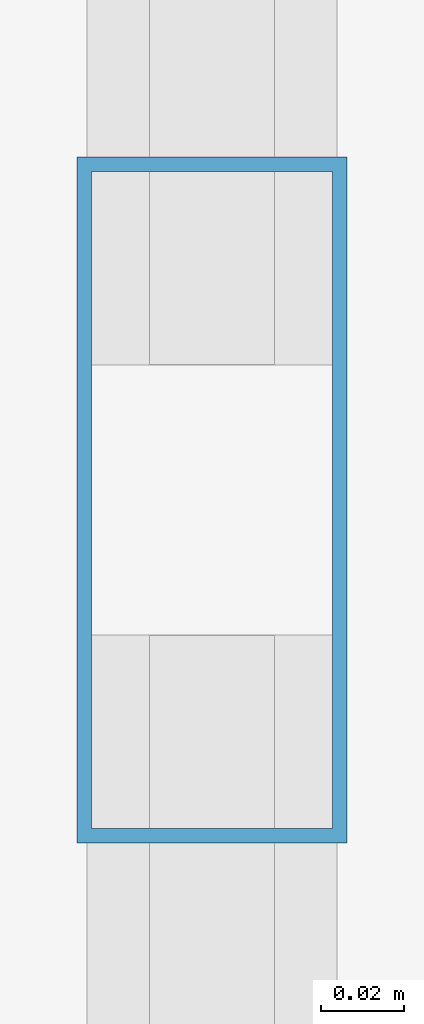
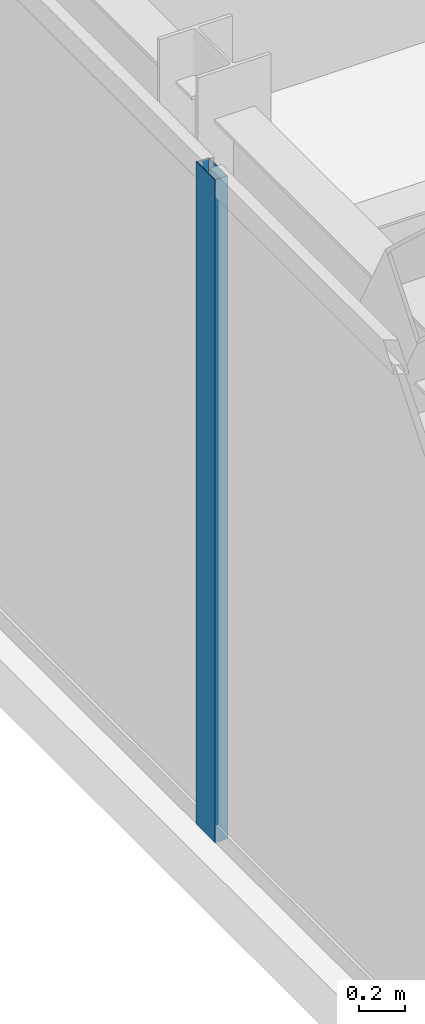
# One storey, part 12 of 33: 1 member, 1 element without a shape of its own.
"""IFC4 building model written with IfcOpenShell, lengths in metres."""

from ifc_helpers import new_model, si_unit, direction, frame, origin, origin_2d, place, context, subcontext, project, spatial, hollow_rectangle, extrude, source, transform, mapped, material, layer, layer_set, material_profile, profile_set, type_object, type_shapes, element, aggregate, save


model = new_model("IFC4")

# Units and contexts
model_context = context("Model", 3, precision=1e-05, world=origin(), true_north=direction((0.0, 1.0)))
body_context = subcontext(model_context, "Body", "Model", "MODEL_VIEW")
ifc_project = project(units=[si_unit("LENGTHUNIT", "METRE"), si_unit("AREAUNIT", "SQUARE_METRE"), si_unit("VOLUMEUNIT", "CUBIC_METRE"), si_unit("PLANEANGLEUNIT", "RADIAN"), si_unit("MASSUNIT", "GRAM", prefix="KILO")], contexts=[model_context])

# Site, building, storey
site_placement = place(None, origin())
site = spatial("IfcSite", under=ifc_project, at=site_placement, CompositionType="ELEMENT")
building_placement = place(site_placement, origin())
building = spatial("IfcBuilding", under=site, at=building_placement, Name="Varnel Quay Broadcast Tower", CompositionType="ELEMENT")
storey_placement = place(building_placement, frame((0.0, 0.0, 199.800048828125)))
storey = spatial("IfcBuildingStorey", under=building, at=storey_placement, Name="L49", CompositionType="ELEMENT", Elevation=199.800048828125)

# Curtain wall, member
ifc_material = material(Name="Anodised Bronze Aluminium 6063-T6", Category="aluminium")
ifc_layer = layer(ifc_material, 0.18994140625, Name="Anodised Bronze Aluminium 6063-T6")
ifc_layer_set = layer_set([ifc_layer], Name="Anodised Bronze Aluminium 6063-T6")
curtain_wall_type = type_object("IfcCurtainWallType", Name="CW_UpperTower", PredefinedType="NOTDEFINED", material=ifc_layer_set)
curtain_wall_placement = place(storey_placement, origin())
curtain_wall = element("IfcCurtainWall", 1, at=curtain_wall_placement, inside=storey, type_object=curtain_wall_type, Name="L49 West Unitised Curtain Wall", PredefinedType="NOTDEFINED")
ifc_material_profile = material_profile(ifc_material, hollow_rectangle(XDim=0.06494140625, YDim=0.1650390625, WallThickness=0.00341796875, at=origin_2d()), Name="ALU65X165X3.5")
ifc_profile_set = profile_set([ifc_material_profile], Name="Anodised Bronze Aluminium 6063-T6")
member_type = type_object("IfcMemberType", Name="Mull_CWS-03", PredefinedType="MULLION", material=ifc_profile_set)
shared_shape = source(origin(), body_context, "Body", "SweptSolid", [
    extrude(hollow_rectangle(XDim=0.06494140625, YDim=0.1650390625, WallThickness=0.00341796875, at=origin_2d()), origin(), (0.0, 0.0, 1.0), 3.550048828125),
])
type_shapes(member_type, [shared_shape])
member_placement = place(storey_placement, frame((9.64990234375, 28.5, 0.0), z_axis=(0.0, 0.0, 1.0), x_axis=(-1.0, 0.0, 0.0)))
member = element("IfcMember", 2, at=member_placement, type_object=member_type, Name="CWS-03 mullion 2", PredefinedType="MULLION", context=body_context, shape_type="MappedRepresentation", body=[
    mapped(shared_shape, transform((0.0, 0.0, 0.0), x_axis=(1.0, 0.0, 0.0), y_axis=(0.0, 1.0, 0.0), z_axis=(0.0, 0.0, 1.0), scale=1.0)),
])
aggregate(curtain_wall, [member])

save(model, "model.ifc")
